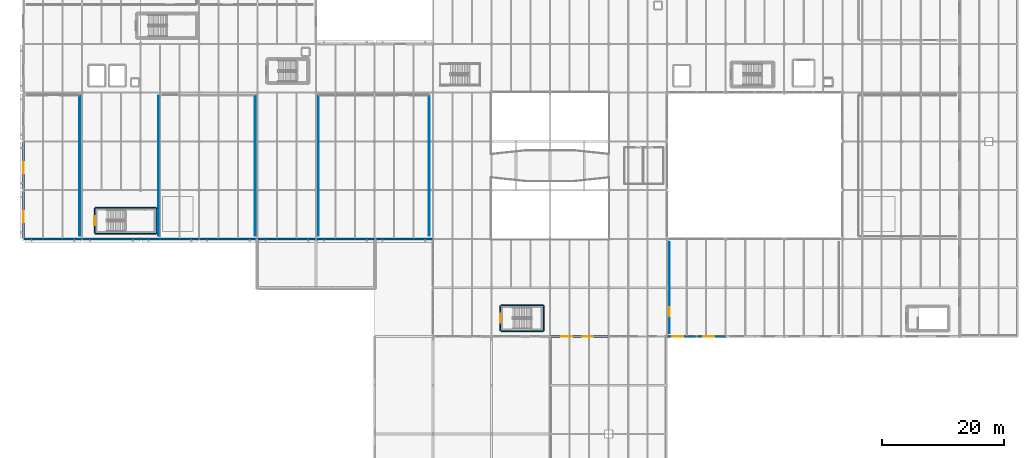
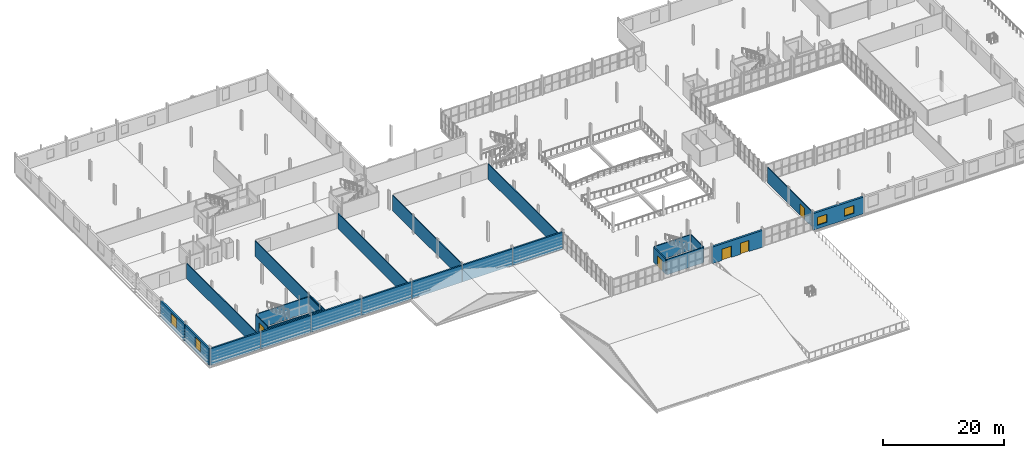
# One storey, part 71 of 85: 25 walls, 5 doors, 4 windows, 9 openings.
"""IFC4 building model written with IfcOpenShell, lengths in metres."""

from ifc_helpers import new_model, si_unit, direction, frame, frame_2d, origin, place, context, subcontext, project, spatial, rectangle, extrude, material, layer, layer_set, type_object, element, fill, save


model = new_model("IFC4")

# Units and contexts
model_context = context("Model", 3, precision=1e-05, world=origin(), true_north=direction((0.0, 1.0)))
body_context = subcontext(model_context, "Body", "Model", "MODEL_VIEW")
ifc_project = project(units=[si_unit("LENGTHUNIT", "METRE"), si_unit("AREAUNIT", "SQUARE_METRE"), si_unit("VOLUMEUNIT", "CUBIC_METRE"), si_unit("PLANEANGLEUNIT", "RADIAN"), si_unit("MASSUNIT", "GRAM", prefix="KILO")], contexts=[model_context])

# Site, building, storey
site_placement = place(None, origin())
site = spatial("IfcSite", under=ifc_project, at=site_placement, CompositionType="ELEMENT")
building_placement = place(site_placement, origin())
building = spatial("IfcBuilding", under=site, at=building_placement, Name="Alderhovde Museum", CompositionType="ELEMENT")
storey_placement = place(building_placement, frame((0.0, 0.0, 8.699951171875)))
storey = spatial("IfcBuildingStorey", under=building, at=storey_placement, Name="L02", CompositionType="ELEMENT", Elevation=8.699951171875)

# Wall, openings, doors
ifc_material_1 = material(Name="Fluted Jura Limestone Beaux-Arts Wall", Category="masonry")
ifc_layer_1 = layer(ifc_material_1, 0.3798828125)
ifc_layer_set_1 = layer_set([ifc_layer_1], Name="Fluted Jura Limestone Beaux-Arts Wall")
wall_type_1 = type_object("IfcWallType", Name="EW-LIME-380", PredefinedType="SOLIDWALL", material=ifc_layer_set_1)
wall_1_placement = place(storey_placement, frame((96.02001953125, 32.0, 0.0), z_axis=(0.0, 0.0, 1.0), x_axis=(1.0, 0.0, 0.0)))
wall_1 = element("IfcWall", 1, at=wall_1_placement, inside=storey, type_object=wall_type_1, Name="L02 Conservatory Terrace Portal Wall 111", PredefinedType="SOLIDWALL", context=body_context, shape_type="SweptSolid", body=[
    extrude(rectangle(XDim=9.56005859375, YDim=0.3798828125, at=frame_2d((4.780029296875, 0.0))), origin(), (0.0, 0.0, 1.0), 3.360107421875),
])
opening_1_placement = place(wall_1_placement, frame((1.85009765625, 0.0, 0.0)))
opening_1 = element("IfcOpeningElement", 2, at=opening_1_placement, cuts=wall_1, Name="Opening BDR1", PredefinedType="OPENING", context=body_context, shape_type="SweptSolid", body=[
    extrude(rectangle(XDim=1.800048828125, YDim=2.300048828125, at=frame_2d((0.89990234375, 1.14990234375))), frame((0.0, 0.199951171875, 0.0), z_axis=(0.0, -1.0, 0.0), x_axis=(1.0, 0.0, 0.0)), (0.0, 0.0, 1.0), 0.39990234375),
])
opening_2_placement = place(wall_1_placement, frame((5.35009765625, 0.0, 0.0)))
opening_2 = element("IfcOpeningElement", 3, at=opening_2_placement, cuts=wall_1, Name="Opening BDR2", PredefinedType="OPENING", context=body_context, shape_type="SweptSolid", body=[
    extrude(rectangle(XDim=1.64990234375, YDim=2.25, at=frame_2d((0.824951171875, 1.125))), frame((0.0, 0.199951171875, 0.0), z_axis=(0.0, -1.0, 0.0), x_axis=(1.0, 0.0, 0.0)), (0.0, 0.0, 1.0), 0.39990234375),
])
ifc_material_2 = material(Name="Thermally Broken Bronze-Anodised Aluminium and Laminated Glass", Category="aluminium")
door_type_1 = type_object("IfcDoorType", Name="DR-TER-1650x2250", OperationType="NOTDEFINED", PredefinedType="DOOR", material=ifc_material_2)
door_1_placement = place(opening_2_placement, origin())
door_1 = element("IfcDoor", 4, at=door_1_placement, inside=storey, type_object=door_type_1, Name="L02 Auditorium Roof Garden Door East", OperationType="DOUBLE_DOOR_SINGLE_SWING", OverallHeight=2.25, OverallWidth=1.64990234375, PredefinedType="DOOR", context=body_context, shape_type="SweptSolid", body=[
    extrude(rectangle(XDim=1.64990234375, YDim=2.25, at=frame_2d((0.824951171875, 1.125))), frame((0.0, 0.02490234375, 0.0), z_axis=(0.0, -1.0, 0.0), x_axis=(1.0, 0.0, 0.0)), (0.0, 0.0, 1.0), 0.050048828125),
])
fill(opening_2, door_1)
ifc_material_3 = material(Name="Thermally Broken Bronze-Anodised Aluminium and Laminated Glass", Category="aluminium")
door_type_2 = type_object("IfcDoorType", Name="DR-TER-1800x2300", OperationType="NOTDEFINED", PredefinedType="DOOR", material=ifc_material_3)
door_2_placement = place(opening_1_placement, origin())
door_2 = element("IfcDoor", 5, at=door_2_placement, inside=storey, type_object=door_type_2, Name="L02 Auditorium Roof Garden Door West", OperationType="DOUBLE_DOOR_SINGLE_SWING", OverallHeight=2.300048828125, OverallWidth=1.800048828125, PredefinedType="DOOR", context=body_context, shape_type="SweptSolid", body=[
    extrude(rectangle(XDim=1.800048828125, YDim=2.300048828125, at=frame_2d((0.89990234375, 1.14990234375))), frame((0.0, 0.02490234375, 0.0), z_axis=(0.0, -1.0, 0.0), x_axis=(1.0, 0.0, 0.0)), (0.0, 0.0, 1.0), 0.050048828125),
])
fill(opening_1, door_2)

# Wall, openings, windows
wall_2_placement = place(storey_placement, frame((115.219970703125, 32.0, 0.0), z_axis=(0.0, 0.0, 1.0), x_axis=(1.0, 0.0, 0.0)))
wall_2 = element("IfcWall", 6, at=wall_2_placement, inside=storey, type_object=wall_type_1, Name="L02 Conservation South Beaux-Arts Wall 215", PredefinedType="SOLIDWALL", context=body_context, shape_type="SweptSolid", body=[
    extrude(rectangle(XDim=9.56005859375, YDim=0.3798828125, at=frame_2d((4.780029296875, 0.0))), origin(), (0.0, 0.0, 1.0), 3.360107421875),
])
opening_3_placement = place(wall_2_placement, frame((0.85009765625, 0.0, 0.719970703125)))
opening_3 = element("IfcOpeningElement", 7, at=opening_3_placement, cuts=wall_2, Name="Opening W13", PredefinedType="OPENING", context=body_context, shape_type="SweptSolid", body=[
    extrude(rectangle(XDim=1.800048828125, YDim=1.60009765625, at=frame_2d((0.89990234375, 0.800048828125))), frame((0.0, 0.199951171875, 0.0), z_axis=(0.0, -1.0, 0.0), x_axis=(1.0, 0.0, 0.0)), (0.0, 0.0, 1.0), 0.39990234375),
])
opening_4_placement = place(wall_2_placement, frame((5.949951171875, 0.0, 0.719970703125)))
opening_4 = element("IfcOpeningElement", 8, at=opening_4_placement, cuts=wall_2, Name="Opening W13", PredefinedType="OPENING", context=body_context, shape_type="SweptSolid", body=[
    extrude(rectangle(XDim=1.800048828125, YDim=1.60009765625, at=frame_2d((0.89990234375, 0.800048828125))), frame((0.0, 0.199951171875, 0.0), z_axis=(0.0, -1.0, 0.0), x_axis=(1.0, 0.0, 0.0)), (0.0, 0.0, 1.0), 0.39990234375),
])
ifc_material_4 = material(Name="Triple-Glazed Low-E Bronze-Anodised Aluminium", Category="aluminium")
window_type_1 = type_object("IfcWindowType", Name="WIN-ATT-1800x1600", PartitioningType="DOUBLE_PANEL_VERTICAL", PredefinedType="WINDOW", material=ifc_material_4)
window_1_placement = place(opening_3_placement, origin())
window_1 = element("IfcWindow", 9, at=window_1_placement, inside=storey, type_object=window_type_1, Name="L02 Facade Window 195", OverallHeight=1.60009765625, OverallWidth=1.800048828125, PartitioningType="SINGLE_PANEL", PredefinedType="WINDOW", context=body_context, shape_type="SweptSolid", body=[
    extrude(rectangle(XDim=1.800048828125, YDim=1.60009765625, at=frame_2d((0.89990234375, 0.800048828125))), frame((0.0, 0.030029296875, 0.0), z_axis=(0.0, -1.0, 0.0), x_axis=(1.0, 0.0, 0.0)), (0.0, 0.0, 1.0), 0.06005859375),
])
fill(opening_3, window_1)
window_2_placement = place(opening_4_placement, origin())
window_2 = element("IfcWindow", 10, at=window_2_placement, inside=storey, type_object=window_type_1, Name="L02 Facade Window 196", OverallHeight=1.60009765625, OverallWidth=1.800048828125, PartitioningType="SINGLE_PANEL", PredefinedType="WINDOW", context=body_context, shape_type="SweptSolid", body=[
    extrude(rectangle(XDim=1.800048828125, YDim=1.60009765625, at=frame_2d((0.89990234375, 0.800048828125))), frame((0.0, 0.030029296875, 0.0), z_axis=(0.0, -1.0, 0.0), x_axis=(1.0, 0.0, 0.0)), (0.0, 0.0, 1.0), 0.06005859375),
])
fill(opening_4, window_2)

# Walls
ifc_material_5 = material(Name="Insulated Zinc-Clad Backing Wall")
ifc_layer_2 = layer(ifc_material_5, 0.300048828125)
ifc_layer_set_2 = layer_set([ifc_layer_2], Name="Insulated Zinc-Clad Backing Wall")
wall_type_2 = type_object("IfcWallType", Name="EW-ZINC-300", PredefinedType="SOLIDWALL", material=ifc_layer_set_2)
wall_3_placement = place(storey_placement, frame((9.6201171875, 48.0, 0.0), z_axis=(0.0, 0.0, 1.0), x_axis=(1.0, 0.0, 0.0)))
element("IfcWall", 11, at=wall_3_placement, inside=storey, type_object=wall_type_2, Name="L02 Folded Wing South Wall 22", PredefinedType="SOLIDWALL", context=body_context, shape_type="SweptSolid", body=[
    extrude(rectangle(XDim=9.559814453125, YDim=0.300048828125, at=frame_2d((4.77978515625, 0.0))), origin(), (0.0, 0.0, 1.0), 3.360107421875),
])
wall_4_placement = place(storey_placement, frame((19.219970703125, 48.0, 0.0), z_axis=(0.0, 0.0, 1.0), x_axis=(1.0, 0.0, 0.0)))
element("IfcWall", 12, at=wall_4_placement, inside=storey, type_object=wall_type_2, Name="L02 Folded Wing South Wall 23", PredefinedType="SOLIDWALL", context=body_context, shape_type="SweptSolid", body=[
    extrude(rectangle(XDim=9.56005859375, YDim=0.300048828125, at=frame_2d((4.780029296875, 0.0))), origin(), (0.0, 0.0, 1.0), 3.360107421875),
])
wall_5_placement = place(storey_placement, frame((28.820068359375, 48.0, 0.0), z_axis=(0.0, 0.0, 1.0), x_axis=(1.0, 0.0, 0.0)))
element("IfcWall", 13, at=wall_5_placement, inside=storey, type_object=wall_type_2, Name="L02 Folded Wing South Wall 24", PredefinedType="SOLIDWALL", context=body_context, shape_type="SweptSolid", body=[
    extrude(rectangle(XDim=9.559814453125, YDim=0.300048828125, at=frame_2d((4.77978515625, 0.0))), origin(), (0.0, 0.0, 1.0), 3.360107421875),
])
for number, where, z_axis, x_axis, name in (
    (14, (38.419921875, 48.0, 0.0), (0.0, 0.0, 1.0), (1.0, 0.0, 0.0), "L02 Folded Wing South Wall 25"),
    (15, (48.02001953125, 48.0, 0.0), (0.0, 0.0, 1.0), (1.0, 0.0, 0.0), "L02 Folded Wing South Wall 26"),
):
    element("IfcWall", number, at=place(storey_placement, frame(where, z_axis=z_axis, x_axis=x_axis)), inside=storey, type_object=wall_type_2, Name=name, PredefinedType="SOLIDWALL", context=body_context, shape_type="SweptSolid", body=[
        extrude(rectangle(XDim=9.56005859375, YDim=0.300048828125, at=frame_2d((4.780029296875, 0.0))), origin(), (0.0, 0.0, 1.0), 3.360107421875),
    ])
wall_6_placement = place(storey_placement, frame((57.6201171875, 48.0, 0.0), z_axis=(0.0, 0.0, 1.0), x_axis=(1.0, 0.0, 0.0)))
element("IfcWall", 16, at=wall_6_placement, inside=storey, type_object=wall_type_2, Name="L02 Folded Wing South Wall 27", PredefinedType="SOLIDWALL", context=body_context, shape_type="SweptSolid", body=[
    extrude(rectangle(XDim=9.559814453125, YDim=0.300048828125, at=frame_2d((4.77978515625, 0.0))), origin(), (0.0, 0.0, 1.0), 3.360107421875),
])
wall_7_placement = place(storey_placement, frame((67.219970703125, 48.0, 0.0), z_axis=(0.0, 0.0, 1.0), x_axis=(1.0, 0.0, 0.0)))
element("IfcWall", 17, at=wall_7_placement, inside=storey, type_object=wall_type_2, Name="L02 Folded Wing South Wall 28", PredefinedType="SOLIDWALL", context=body_context, shape_type="SweptSolid", body=[
    extrude(rectangle(XDim=9.56005859375, YDim=0.300048828125, at=frame_2d((4.780029296875, 0.0))), origin(), (0.0, 0.0, 1.0), 3.360107421875),
])

# Wall, opening, window
wall_8_placement = place(storey_placement, frame((9.60009765625, 48.02001953125, 0.0), z_axis=(0.0, 0.0, 1.0), x_axis=(0.0, 1.0, 0.0)))
wall_8 = element("IfcWall", 18, at=wall_8_placement, inside=storey, type_object=wall_type_2, Name="L02 Raised West Prow Wall 31", PredefinedType="SOLIDWALL", context=body_context, shape_type="SweptSolid", body=[
    extrude(rectangle(XDim=7.9599609375, YDim=0.300048828125, at=frame_2d((3.97998046875, 0.0))), origin(), (0.0, 0.0, 1.0), 3.360107421875),
])
opening_5_placement = place(wall_8_placement, frame((2.75, 0.0, 0.85009765625)))
opening_5 = element("IfcOpeningElement", 19, at=opening_5_placement, cuts=wall_8, Name="Opening W09", PredefinedType="OPENING", context=body_context, shape_type="SweptSolid", body=[
    extrude(rectangle(XDim=1.800048828125, YDim=2.10009765625, at=frame_2d((0.89990234375, 1.050048828125))), frame((0.0, 0.159912109375, 0.0), z_axis=(0.0, -1.0, 0.0), x_axis=(1.0, 0.0, 0.0)), (0.0, 0.0, 1.0), 0.320068359375),
])
ifc_material_6 = material(Name="Triple-Glazed Low-E Bronze-Anodised Aluminium", Category="aluminium")
window_type_2 = type_object("IfcWindowType", Name="WIN-BA-1800x2100", PartitioningType="DOUBLE_PANEL_VERTICAL", PredefinedType="WINDOW", material=ifc_material_6)
window_3_placement = place(opening_5_placement, origin())
window_3 = element("IfcWindow", 20, at=window_3_placement, inside=storey, type_object=window_type_2, Name="L02 Facade Window 19", OverallHeight=2.10009765625, OverallWidth=1.800048828125, PartitioningType="SINGLE_PANEL", PredefinedType="WINDOW", context=body_context, shape_type="SweptSolid", body=[
    extrude(rectangle(XDim=1.800048828125, YDim=2.10009765625, at=frame_2d((0.89990234375, 1.050048828125))), frame((0.0, 0.030029296875, 0.0), z_axis=(0.0, -1.0, 0.0), x_axis=(1.0, 0.0, 0.0)), (0.0, 0.0, 1.0), 0.06005859375),
])
fill(opening_5, window_3)

wall_9_placement = place(storey_placement, frame((9.60009765625, 56.02001953125, 0.0), z_axis=(0.0, 0.0, 1.0), x_axis=(0.0, 1.0, 0.0)))
wall_9 = element("IfcWall", 21, at=wall_9_placement, inside=storey, type_object=wall_type_2, Name="L02 Raised West Prow Wall 32", PredefinedType="SOLIDWALL", context=body_context, shape_type="SweptSolid", body=[
    extrude(rectangle(XDim=7.9599609375, YDim=0.300048828125, at=frame_2d((3.97998046875, 0.0))), origin(), (0.0, 0.0, 1.0), 3.360107421875),
])
opening_6_placement = place(wall_9_placement, frame((2.75, 0.0, 0.85009765625)))
opening_6 = element("IfcOpeningElement", 22, at=opening_6_placement, cuts=wall_9, Name="Opening W09", PredefinedType="OPENING", context=body_context, shape_type="SweptSolid", body=[
    extrude(rectangle(XDim=1.800048828125, YDim=2.10009765625, at=frame_2d((0.89990234375, 1.050048828125))), frame((0.0, 0.159912109375, 0.0), z_axis=(0.0, -1.0, 0.0), x_axis=(1.0, 0.0, 0.0)), (0.0, 0.0, 1.0), 0.320068359375),
])
window_4_placement = place(opening_6_placement, origin())
window_4 = element("IfcWindow", 23, at=window_4_placement, inside=storey, type_object=window_type_2, Name="L02 Facade Window 20", OverallHeight=2.10009765625, OverallWidth=1.800048828125, PartitioningType="SINGLE_PANEL", PredefinedType="WINDOW", context=body_context, shape_type="SweptSolid", body=[
    extrude(rectangle(XDim=1.800048828125, YDim=2.10009765625, at=frame_2d((0.89990234375, 1.050048828125))), frame((0.0, 0.030029296875, 0.0), z_axis=(0.0, -1.0, 0.0), x_axis=(1.0, 0.0, 0.0)), (0.0, 0.0, 1.0), 0.06005859375),
])
fill(opening_6, window_4)

# Walls
ifc_material_7 = material(Name="Plywood-Backed Gallery Display Partition", Category="wood")
ifc_layer_3 = layer(ifc_material_7, 0.14990234375)
ifc_layer_set_3 = layer_set([ifc_layer_3], Name="Plywood-Backed Gallery Display Partition")
wall_type_3 = type_object("IfcWallType", Name="IW-GAL-150", PredefinedType="PARTITIONING", material=ifc_layer_set_3)
for number, where, z_axis, x_axis, name in (
    (24, (18.800048828125, 48.5400390625, 0.0), (0.0, 0.0, 1.0), (0.0, 1.0, 0.0), "L02 West Prow Decorative Arts Gallery Partition Wall E"),
    (25, (31.800048828125, 48.5400390625, 0.0), (0.0, 0.0, 1.0), (0.0, 1.0, 0.0), "L02 European Paintings Enfilade Gallery Partition Wall W"),
    (26, (47.60009765625, 48.5400390625, 0.0), (0.0, 0.0, 1.0), (0.0, 1.0, 0.0), "L02 European Paintings Enfilade Gallery Partition Wall E"),
    (27, (58.0, 48.5400390625, 0.0), (0.0, 0.0, 1.0), (0.0, 1.0, 0.0), "L02 Nordic Mineralogy Exhibition Hall Partition Wall W"),
    (28, (76.199951171875, 48.5400390625, 0.0), (0.0, 0.0, 1.0), (0.0, 1.0, 0.0), "L02 Nordic Mineralogy Exhibition Hall Partition Wall E"),
):
    element("IfcWall", number, at=place(storey_placement, frame(where, z_axis=z_axis, x_axis=x_axis)), inside=storey, type_object=wall_type_3, Name=name, PredefinedType="PARTITIONING", context=body_context, shape_type="SweptSolid", body=[
        extrude(rectangle(XDim=22.919921875, YDim=0.14990234375, at=frame_2d((11.4599609375, 0.0))), origin(), (0.0, 0.0, 1.0), 3.10009765625),
    ])

# Wall, opening, door
ifc_material_8 = material(Name="Hygienic Conservation Laboratory Partition")
ifc_layer_4 = layer(ifc_material_8, 0.139892578125)
ifc_layer_set_4 = layer_set([ifc_layer_4], Name="Hygienic Conservation Laboratory Partition")
wall_type_4 = type_object("IfcWallType", Name="IW-LAB-140", PredefinedType="PARTITIONING", material=ifc_layer_set_4)
wall_10_placement = place(storey_placement, frame((115.60009765625, 32.5400390625, 0.0), z_axis=(0.0, 0.0, 1.0), x_axis=(0.0, 1.0, 0.0)))
wall_10 = element("IfcWall", 29, at=wall_10_placement, inside=storey, type_object=wall_type_4, Name="L02 Analytical X-Ray Imaging Suite Partition Wall W", PredefinedType="PARTITIONING", context=body_context, shape_type="SweptSolid", body=[
    extrude(rectangle(XDim=14.919921875, YDim=0.139892578125, at=frame_2d((7.4599609375, 0.0))), origin(), (0.0, 0.0, 1.0), 3.10009765625),
])
opening_7_placement = place(wall_10_placement, frame((2.763916015625, 0.0, 0.0)))
opening_7 = element("IfcOpeningElement", 30, at=opening_7_placement, cuts=wall_10, Name="Opening D13", PredefinedType="OPENING", context=body_context, shape_type="SweptSolid", body=[
    extrude(rectangle(XDim=1.449951171875, YDim=2.25, at=frame_2d((0.72509765625, 1.125))), frame((0.0, 0.080078125, 0.0), z_axis=(0.0, -1.0, 0.0), x_axis=(1.0, 0.0, 0.0)), (0.0, 0.0, 1.0), 0.159912109375),
])
ifc_material_9 = material(Name="Imaging Suite Fire Door (Steel/Oak)", Category="steel")
door_type_3 = type_object("IfcDoorType", Name="ID-LAB-1450x2250", OperationType="NOTDEFINED", PredefinedType="DOOR", material=ifc_material_9)
door_3_placement = place(opening_7_placement, origin())
door_3 = element("IfcDoor", 31, at=door_3_placement, inside=storey, type_object=door_type_3, Name="L02 Analytical X-Ray Imaging Suite Door", OperationType="SINGLE_SWING_RIGHT", OverallHeight=2.25, OverallWidth=1.449951171875, PredefinedType="DOOR", context=body_context, shape_type="SweptSolid", body=[
    extrude(rectangle(XDim=1.449951171875, YDim=2.25, at=frame_2d((0.72509765625, 1.125))), frame((0.0, 0.02490234375, 0.0), z_axis=(0.0, -1.0, 0.0), x_axis=(1.0, 0.0, 0.0)), (0.0, 0.0, 1.0), 0.050048828125),
])
fill(opening_7, door_3)

ifc_material_10 = material(Name="Fire-Resisting Stair Lobby Wall")
ifc_layer_5 = layer(ifc_material_10, 0.169921875)
ifc_layer_set_5 = layer_set([ifc_layer_5], Name="Fire-Resisting Stair Lobby Wall")
wall_type_5 = type_object("IfcWallType", Name="IW-STAIR-170", PredefinedType="SOLIDWALL", material=ifc_layer_set_5)
wall_11_placement = place(storey_placement, frame((21.260009765625, 48.9599609375, 0.0), z_axis=(0.0, 0.0, 1.0), x_axis=(0.0, 1.0, 0.0)))
wall_11 = element("IfcWall", 32, at=wall_11_placement, inside=storey, type_object=wall_type_5, Name="L02 Escape Stair ST1 Fire Wall W", PredefinedType="SOLIDWALL", context=body_context, shape_type="SweptSolid", body=[
    extrude(rectangle(XDim=4.0400390625, YDim=0.169921875, at=frame_2d((2.02001953125, 0.0))), origin(), (0.0, 0.0, 1.0), 3.10009765625),
])
opening_8_placement = place(wall_11_placement, frame((1.27001953125, 0.0, 0.0)))
opening_8 = element("IfcOpeningElement", 33, at=opening_8_placement, cuts=wall_11, Name="Opening FD-1", PredefinedType="OPENING", context=body_context, shape_type="SweptSolid", body=[
    extrude(rectangle(XDim=1.5, YDim=2.199951171875, at=frame_2d((0.75, 1.10009765625))), frame((0.0, 0.094970703125, 0.0), z_axis=(0.0, -1.0, 0.0), x_axis=(1.0, 0.0, 0.0)), (0.0, 0.0, 1.0), 0.18994140625),
])
ifc_material_11 = material(Name="Fire-Rated Steel Stair Escape Door (Steel/Oak)", Category="steel")
door_type_4 = type_object("IfcDoorType", Name="FD-STAIR-1500x2200", OperationType="NOTDEFINED", PredefinedType="DOOR", material=ifc_material_11)
door_4_placement = place(opening_8_placement, origin())
door_4 = element("IfcDoor", 34, at=door_4_placement, inside=storey, type_object=door_type_4, Name="L02 Escape Stair ST1 Fire Door", OperationType="SINGLE_SWING_RIGHT", OverallHeight=2.199951171875, OverallWidth=1.5, PredefinedType="DOOR", context=body_context, shape_type="SweptSolid", body=[
    extrude(rectangle(XDim=1.5, YDim=2.199951171875, at=frame_2d((0.75, 1.10009765625))), frame((0.0, 0.02490234375, 0.0), z_axis=(0.0, -1.0, 0.0), x_axis=(1.0, 0.0, 0.0)), (0.0, 0.0, 1.0), 0.050048828125),
])
fill(opening_8, door_4)

# Walls
wall_12_placement = place(storey_placement, frame((31.4599609375, 48.9599609375, 0.0), z_axis=(0.0, 0.0, 1.0), x_axis=(0.0, 1.0, 0.0)))
element("IfcWall", 35, at=wall_12_placement, inside=storey, type_object=wall_type_5, Name="L02 Escape Stair ST1 Fire Wall E", PredefinedType="SOLIDWALL", context=body_context, shape_type="SweptSolid", body=[
    extrude(rectangle(XDim=4.0400390625, YDim=0.169921875, at=frame_2d((2.02001953125, 0.0))), origin(), (0.0, 0.0, 1.0), 3.10009765625),
])
for number, where, z_axis, x_axis, name in (
    (36, (21.360107421875, 48.860107421875, 0.0), (0.0, 0.0, 1.0), (1.0, 0.0, 0.0), "L02 Escape Stair ST1 Fire Wall S"),
    (37, (21.360107421875, 53.10009765625, 0.0), (0.0, 0.0, 1.0), (1.0, 0.0, 0.0), "L02 Escape Stair ST1 Fire Wall N"),
):
    element("IfcWall", number, at=place(storey_placement, frame(where, z_axis=z_axis, x_axis=x_axis)), inside=storey, type_object=wall_type_5, Name=name, PredefinedType="SOLIDWALL", context=body_context, shape_type="SweptSolid", body=[
        extrude(rectangle(XDim=10.0, YDim=0.169921875, at=frame_2d((5.0, 0.0))), origin(), (0.0, 0.0, 1.0), 3.10009765625),
    ])

# Wall, opening, door
wall_13_placement = place(storey_placement, frame((87.860107421875, 32.9599609375, 0.0), z_axis=(0.0, 0.0, 1.0), x_axis=(0.0, 1.0, 0.0)))
wall_13 = element("IfcWall", 38, at=wall_13_placement, inside=storey, type_object=wall_type_5, Name="L02 Escape Stair ST3 Fire Wall W", PredefinedType="SOLIDWALL", context=body_context, shape_type="SweptSolid", body=[
    extrude(rectangle(XDim=4.0400390625, YDim=0.169921875, at=frame_2d((2.02001953125, 0.0))), origin(), (0.0, 0.0, 1.0), 3.10009765625),
])
opening_9_placement = place(wall_13_placement, frame((1.27001953125, 0.0, 0.0)))
opening_9 = element("IfcOpeningElement", 39, at=opening_9_placement, cuts=wall_13, Name="Opening FD-1", PredefinedType="OPENING", context=body_context, shape_type="SweptSolid", body=[
    extrude(rectangle(XDim=1.5, YDim=2.199951171875, at=frame_2d((0.75, 1.10009765625))), frame((0.0, 0.094970703125, 0.0), z_axis=(0.0, -1.0, 0.0), x_axis=(1.0, 0.0, 0.0)), (0.0, 0.0, 1.0), 0.18994140625),
])
door_5_placement = place(opening_9_placement, origin())
door_5 = element("IfcDoor", 40, at=door_5_placement, inside=storey, type_object=door_type_4, Name="L02 Escape Stair ST3 Fire Door", OperationType="SINGLE_SWING_RIGHT", OverallHeight=2.199951171875, OverallWidth=1.5, PredefinedType="DOOR", context=body_context, shape_type="SweptSolid", body=[
    extrude(rectangle(XDim=1.5, YDim=2.199951171875, at=frame_2d((0.75, 1.10009765625))), frame((0.0, 0.02490234375, 0.0), z_axis=(0.0, -1.0, 0.0), x_axis=(1.0, 0.0, 0.0)), (0.0, 0.0, 1.0), 0.050048828125),
])
fill(opening_9, door_5)

# Walls
wall_14_placement = place(storey_placement, frame((94.97998046875, 32.9599609375, 0.0), z_axis=(0.0, 0.0, 1.0), x_axis=(0.0, 1.0, 0.0)))
element("IfcWall", 41, at=wall_14_placement, inside=storey, type_object=wall_type_5, Name="L02 Escape Stair ST3 Fire Wall E", PredefinedType="SOLIDWALL", context=body_context, shape_type="SweptSolid", body=[
    extrude(rectangle(XDim=4.0400390625, YDim=0.169921875, at=frame_2d((2.02001953125, 0.0))), origin(), (0.0, 0.0, 1.0), 3.10009765625),
])
for number, where, z_axis, x_axis, name in (
    (42, (87.9599609375, 32.860107421875, 0.0), (0.0, 0.0, 1.0), (1.0, 0.0, 0.0), "L02 Escape Stair ST3 Fire Wall S"),
    (43, (87.9599609375, 37.10009765625, 0.0), (0.0, 0.0, 1.0), (1.0, 0.0, 0.0), "L02 Escape Stair ST3 Fire Wall N"),
):
    element("IfcWall", number, at=place(storey_placement, frame(where, z_axis=z_axis, x_axis=x_axis)), inside=storey, type_object=wall_type_5, Name=name, PredefinedType="SOLIDWALL", context=body_context, shape_type="SweptSolid", body=[
        extrude(rectangle(XDim=6.919921875, YDim=0.169921875, at=frame_2d((3.4599609375, 0.0))), origin(), (0.0, 0.0, 1.0), 3.10009765625),
    ])

save(model, "model.ifc")
